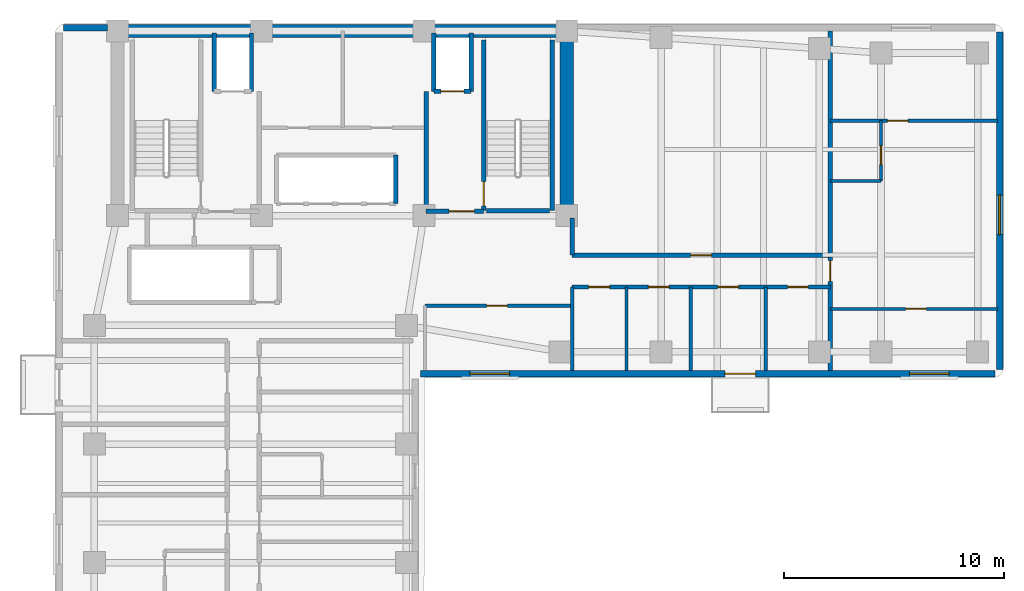
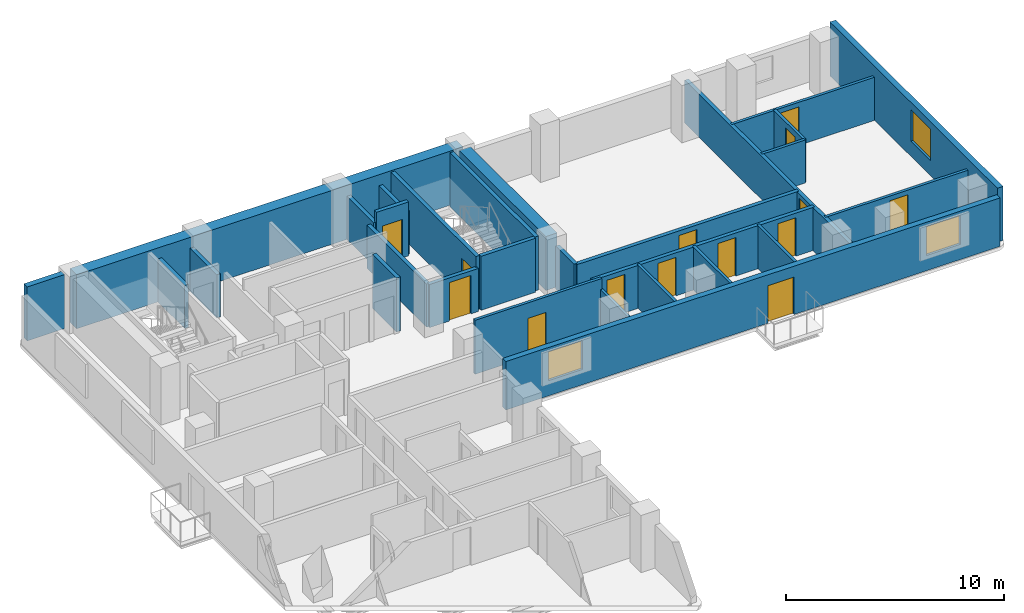
# One storey, part 4 of 7: 29 walls, 14 doors, 3 windows, 17 openings.
"""IFC4 building model written with IfcOpenShell, lengths in metres."""

from ifc_helpers import new_model, si_unit, direction, frame, frame_2d, origin, place, context, subcontext, project, spatial, rectangle, extrude, material, layer, layer_set, type_object, element, fill, save


model = new_model("IFC4")

# Units and contexts
model_context = context("Model", 3, precision=1e-05, world=origin(), true_north=direction((0.0, 1.0)))
body_context = subcontext(model_context, "Body", "Model", "MODEL_VIEW")
ifc_project = project(units=[si_unit("LENGTHUNIT", "METRE"), si_unit("AREAUNIT", "SQUARE_METRE"), si_unit("VOLUMEUNIT", "CUBIC_METRE"), si_unit("PLANEANGLEUNIT", "RADIAN"), si_unit("MASSUNIT", "GRAM", prefix="KILO")], contexts=[model_context])

# Site, building, storey
site_placement = place(None, origin())
site = spatial("IfcSite", under=ifc_project, at=site_placement, CompositionType="ELEMENT")
building_placement = place(site_placement, origin())
building = spatial("IfcBuilding", under=site, at=building_placement, Name="Kuzgunbayir Cultural Tower", CompositionType="ELEMENT")
storey_placement = place(building_placement, frame((0.0, 0.0, 120.199951171875)))
storey = spatial("IfcBuildingStorey", under=building, at=storey_placement, Name="L34", CompositionType="ELEMENT", Elevation=120.199951171875)

# Walls
ifc_material_1 = material(Name="Concrete C60/75", Category="concrete")
ifc_layer_1 = layer(ifc_material_1, 0.60009765625)
ifc_layer_set_1 = layer_set([ifc_layer_1], Name="Concrete C60/75")
wall_type_1 = type_object("IfcWallType", Name="WAL-CORE-600", PredefinedType="SHEAR", material=ifc_layer_set_1)
wall_1_placement = place(storey_placement, frame((6.449951171875, 42.199951171875, 0.0), z_axis=(0.0, 0.0, 1.0), x_axis=(1.0, 0.0, 0.0)))
element("IfcWall", 1, at=wall_1_placement, inside=storey, type_object=wall_type_1, Name="L34 T1 Core North Shear Wall", PredefinedType="SHEAR", context=body_context, shape_type="SweptSolid", body=[
    extrude(rectangle(XDim=20.449951171875, YDim=0.60009765625, at=frame_2d((10.22509765625, 0.0))), origin(), (0.0, 0.0, 1.0), 3.02001953125),
])
wall_2_placement = place(storey_placement, frame((26.89990234375, 33.800048828125, 0.0), z_axis=(0.0, 0.0, 1.0), x_axis=(0.0, 1.0, 0.0)))
element("IfcWall", 2, at=wall_2_placement, inside=storey, type_object=wall_type_1, Name="L34 T1 Core East Shear Wall", PredefinedType="SHEAR", context=body_context, shape_type="SweptSolid", body=[
    extrude(rectangle(XDim=7.949951171875, YDim=0.60009765625, at=frame_2d((3.97509765625, 0.0))), origin(), (0.0, 0.0, 1.0), 3.02001953125),
])
ifc_material_2 = material(Name="Anatolian Cream Limestone", Category="masonry")
ifc_layer_2 = layer(ifc_material_2, 0.300048828125)
ifc_layer_set_2 = layer_set([ifc_layer_2], Name="Anatolian Cream Limestone")
wall_type_2 = type_object("IfcWallType", Name="WAL-EXT-STONE-300", PredefinedType="STANDARD", material=ifc_layer_set_2)
wall_3_placement = place(storey_placement, frame((6.0, 42.35009765625, 0.0), z_axis=(0.0, 0.0, 1.0), x_axis=(-1.0, 0.0, 0.0)))
element("IfcWall", 3, at=wall_3_placement, inside=storey, type_object=wall_type_2, Name="L34 Core North-West Spandrel Link", PredefinedType="STANDARD", context=body_context, shape_type="SweptSolid", body=[
    extrude(rectangle(XDim=2.0, YDim=0.300048828125, at=frame_2d((1.0, 0.0))), origin(), (0.0, 0.0, 1.0), 3.02001953125),
])

# Wall, openings, door, windows
wall_4_placement = place(storey_placement, frame((20.25, 26.60009765625, 0.0), z_axis=(0.0, 0.0, 1.0), x_axis=(1.0, 0.0, 0.0)))
wall_4 = element("IfcWall", 4, at=wall_4_placement, inside=storey, type_object=wall_type_2, Name="L34 Wing B South Limestone Wall", PredefinedType="STANDARD", context=body_context, shape_type="SweptSolid", body=[
    extrude(rectangle(XDim=26.14990234375, YDim=0.300048828125, at=frame_2d((13.074951171875, 0.0))), origin(), (0.0, 0.0, 1.0), 2.7099609375),
])
opening_1_placement = place(wall_4_placement, frame((13.85009765625, 0.0, 0.0)))
opening_1 = element("IfcOpeningElement", 5, at=opening_1_placement, cuts=wall_4, Name="Opening BD-15", PredefinedType="OPENING", context=body_context, shape_type="SweptSolid", body=[
    extrude(rectangle(XDim=1.39990234375, YDim=2.10009765625, at=frame_2d((0.699951171875, 1.050048828125))), frame((0.0, 0.16015625, 0.0), z_axis=(0.0, -1.0, 0.0), x_axis=(1.0, 0.0, 0.0)), (0.0, 0.0, 1.0), 0.320068359375),
])
opening_2_placement = place(wall_4_placement, frame((2.25, 0.0, 0.85009765625)))
opening_2 = element("IfcOpeningElement", 6, at=opening_2_placement, cuts=wall_4, Name="Opening WH-18", PredefinedType="OPENING", context=body_context, shape_type="SweptSolid", body=[
    extrude(rectangle(XDim=1.800048828125, YDim=1.610107421875, at=frame_2d((0.89990234375, 0.80517578125))), frame((0.0, 0.16015625, 0.0), z_axis=(0.0, -1.0, 0.0), x_axis=(1.0, 0.0, 0.0)), (0.0, 0.0, 1.0), 0.320068359375),
])
opening_3_placement = place(wall_4_placement, frame((22.25, 0.0, 0.85009765625)))
opening_3 = element("IfcOpeningElement", 7, at=opening_3_placement, cuts=wall_4, Name="Opening WH-18", PredefinedType="OPENING", context=body_context, shape_type="SweptSolid", body=[
    extrude(rectangle(XDim=1.800048828125, YDim=1.610107421875, at=frame_2d((0.89990234375, 0.80517578125))), frame((0.0, 0.16015625, 0.0), z_axis=(0.0, -1.0, 0.0), x_axis=(1.0, 0.0, 0.0)), (0.0, 0.0, 1.0), 0.320068359375),
])
ifc_material_3 = material(Name="Thermally Broken Glazed Aluminium", Category="aluminium")
door_type_1 = type_object("IfcDoorType", Name="DR-BALCONY-150", OperationType="SLIDING_TO_RIGHT", PredefinedType="DOOR", material=ifc_material_3)
door_1_placement = place(opening_1_placement, origin())
door_1 = element("IfcDoor", 8, at=door_1_placement, inside=storey, type_object=door_type_1, Name="L34 South Balcony Sliding Door BAL-L34-WB2", OperationType="SLIDING_TO_RIGHT", OverallHeight=2.10009765625, OverallWidth=1.39990234375, PredefinedType="DOOR", context=body_context, shape_type="SweptSolid", body=[
    extrude(rectangle(XDim=1.39990234375, YDim=2.10009765625, at=frame_2d((0.699951171875, 1.050048828125))), frame((0.0, 0.02490234375, 0.0), z_axis=(0.0, -1.0, 0.0), x_axis=(1.0, 0.0, 0.0)), (0.0, 0.0, 1.0), 0.050048828125),
])
fill(opening_1, door_1)
ifc_material_4 = material(Name="Solar-Control Triple Glazing", Category="glass")
window_type = type_object("IfcWindowType", Name="WIN-HOTEL-18", PartitioningType="SINGLE_PANEL", PredefinedType="WINDOW", material=ifc_material_4)
window_1_placement = place(opening_2_placement, origin())
window_1 = element("IfcWindow", 9, at=window_1_placement, inside=storey, type_object=window_type, Name="L34 WBS Facade Window 10", OverallHeight=1.610107421875, OverallWidth=1.800048828125, PartitioningType="SINGLE_PANEL", PredefinedType="WINDOW", context=body_context, shape_type="SweptSolid", body=[
    extrude(rectangle(XDim=1.800048828125, YDim=1.610107421875, at=frame_2d((0.89990234375, 0.80517578125))), frame((0.0, 0.030029296875, 0.0), z_axis=(0.0, -1.0, 0.0), x_axis=(1.0, 0.0, 0.0)), (0.0, 0.0, 1.0), 0.06005859375),
])
fill(opening_2, window_1)
window_2_placement = place(opening_3_placement, origin())
window_2 = element("IfcWindow", 10, at=window_2_placement, inside=storey, type_object=window_type, Name="L34 WBS Facade Window 11", OverallHeight=1.610107421875, OverallWidth=1.800048828125, PartitioningType="SINGLE_PANEL", PredefinedType="WINDOW", context=body_context, shape_type="SweptSolid", body=[
    extrude(rectangle(XDim=1.800048828125, YDim=1.610107421875, at=frame_2d((0.89990234375, 0.80517578125))), frame((0.0, 0.030029296875, 0.0), z_axis=(0.0, -1.0, 0.0), x_axis=(1.0, 0.0, 0.0)), (0.0, 0.0, 1.0), 0.06005859375),
])
fill(opening_3, window_2)

# Wall, opening, window
wall_5_placement = place(storey_placement, frame((46.60009765625, 26.800048828125, 0.0), z_axis=(0.0, 0.0, 1.0), x_axis=(0.0, 1.0, 0.0)))
wall_5 = element("IfcWall", 11, at=wall_5_placement, inside=storey, type_object=wall_type_2, Name="L34 Wing B East Limestone Wall", PredefinedType="STANDARD", context=body_context, shape_type="SweptSolid", body=[
    extrude(rectangle(XDim=15.349853515625, YDim=0.300048828125, at=frame_2d((7.6748046875, 0.0))), origin(), (0.0, 0.0, 1.0), 3.02001953125),
])
opening_4_placement = place(wall_5_placement, frame((6.1298828125, 0.0, 0.85009765625)))
opening_4 = element("IfcOpeningElement", 12, at=opening_4_placement, cuts=wall_5, Name="Opening WH-18", PredefinedType="OPENING", context=body_context, shape_type="SweptSolid", body=[
    extrude(rectangle(XDim=1.800048828125, YDim=1.75, at=frame_2d((0.89990234375, 0.875))), frame((0.0, 0.16015625, 0.0), z_axis=(0.0, -1.0, 0.0), x_axis=(1.0, 0.0, 0.0)), (0.0, 0.0, 1.0), 0.320068359375),
])
window_3_placement = place(opening_4_placement, origin())
window_3 = element("IfcWindow", 13, at=window_3_placement, inside=storey, type_object=window_type, Name="L34 WBE Facade Window 4", OverallHeight=1.75, OverallWidth=1.800048828125, PartitioningType="SINGLE_PANEL", PredefinedType="WINDOW", context=body_context, shape_type="SweptSolid", body=[
    extrude(rectangle(XDim=1.800048828125, YDim=1.75, at=frame_2d((0.89990234375, 0.875))), frame((0.0, 0.030029296875, 0.0), z_axis=(0.0, -1.0, 0.0), x_axis=(1.0, 0.0, 0.0)), (0.0, 0.0, 1.0), 0.06005859375),
])
fill(opening_4, window_3)

# Wall, opening, door
ifc_material_5 = material(Name="Acoustic Double-Stud Drywall", Category="gypsum")
ifc_layer_3 = layer(ifc_material_5, 0.14990234375)
ifc_layer_set_3 = layer_set([ifc_layer_3], Name="Acoustic Double-Stud Drywall")
wall_type_3 = type_object("IfcWallType", Name="WAL-PART-ACOUSTIC-150", PredefinedType="PARTITIONING", material=ifc_layer_set_3)
wall_6_placement = place(storey_placement, frame((20.449951171875, 29.699951171875, 0.0), z_axis=(0.0, 0.0, 1.0), x_axis=(1.0, 0.0, 0.0)))
wall_6 = element("IfcWall", 14, at=wall_6_placement, inside=storey, type_object=wall_type_3, Name="L34 Waist Alcove North Wall", PredefinedType="PARTITIONING", context=body_context, shape_type="SweptSolid", body=[
    extrude(rectangle(XDim=6.699951171875, YDim=0.14990234375, at=frame_2d((3.35009765625, 0.0))), origin(), (0.0, 0.0, 1.0), 3.02001953125),
])
opening_5_placement = place(wall_6_placement, frame((2.800048828125, 0.0, 0.0)))
opening_5 = element("IfcOpeningElement", 15, at=opening_5_placement, cuts=wall_6, Name="Opening DI-90", PredefinedType="OPENING", context=body_context, shape_type="SweptSolid", body=[
    extrude(rectangle(XDim=0.949951171875, YDim=2.14990234375, at=frame_2d((0.47509765625, 1.074951171875))), frame((0.0, 0.0849609375, 0.0), z_axis=(0.0, -1.0, 0.0), x_axis=(1.0, 0.0, 0.0)), (0.0, 0.0, 1.0), 0.169921875),
])
ifc_material_6 = material(Name="Veneered Oak Single Leaf", Category="wood")
door_type_2 = type_object("IfcDoorType", Name="DR-INT-90", OperationType="NOTDEFINED", PredefinedType="DOOR", material=ifc_material_6)
door_2_placement = place(opening_5_placement, origin())
door_2 = element("IfcDoor", 16, at=door_2_placement, inside=storey, type_object=door_type_2, Name="L34 Waist Alcove Door", OperationType="SINGLE_SWING_RIGHT", OverallHeight=2.14990234375, OverallWidth=0.949951171875, PredefinedType="DOOR", context=body_context, shape_type="SweptSolid", body=[
    extrude(rectangle(XDim=0.949951171875, YDim=2.14990234375, at=frame_2d((0.47509765625, 1.074951171875))), frame((0.0, 0.02490234375, 0.0), z_axis=(0.0, -1.0, 0.0), x_axis=(1.0, 0.0, 0.0)), (0.0, 0.0, 1.0), 0.050048828125),
])
fill(opening_5, door_2)

# Wall
wall_7_placement = place(storey_placement, frame((27.14990234375, 26.75, 0.0), z_axis=(0.0, 0.0, 1.0), x_axis=(0.0, 1.0, 0.0)))
element("IfcWall", 17, at=wall_7_placement, inside=storey, type_object=wall_type_3, Name="L34 Waist Alcove East Wall", PredefinedType="PARTITIONING", context=body_context, shape_type="SweptSolid", body=[
    extrude(rectangle(XDim=3.800048828125, YDim=0.14990234375, at=frame_2d((1.89990234375, 0.0))), origin(), (0.0, 0.0, 1.0), 2.41015625),
])

# Wall, opening, door
wall_8_placement = place(storey_placement, frame((38.89990234375, 38.1201171875, 0.0), z_axis=(0.0, 0.0, 1.0), x_axis=(1.0, 0.0, 0.0)))
wall_8 = element("IfcWall", 18, at=wall_8_placement, inside=storey, type_object=wall_type_3, Name="L34 Corner Suite Bedroom Wall", PredefinedType="PARTITIONING", context=body_context, shape_type="SweptSolid", body=[
    extrude(rectangle(XDim=7.60009765625, YDim=0.14990234375, at=frame_2d((3.800048828125, 0.0))), origin(), (0.0, 0.0, 1.0), 2.41015625),
])
opening_6_placement = place(wall_8_placement, frame((2.590087890625, 0.0, 0.0)))
opening_6 = element("IfcOpeningElement", 19, at=opening_6_placement, cuts=wall_8, Name="Opening DI-90", PredefinedType="OPENING", context=body_context, shape_type="SweptSolid", body=[
    extrude(rectangle(XDim=0.949951171875, YDim=2.14990234375, at=frame_2d((0.47509765625, 1.074951171875))), frame((0.0, 0.0849609375, 0.0), z_axis=(0.0, -1.0, 0.0), x_axis=(1.0, 0.0, 0.0)), (0.0, 0.0, 1.0), 0.169921875),
])
door_3_placement = place(opening_6_placement, origin())
door_3 = element("IfcDoor", 20, at=door_3_placement, inside=storey, type_object=door_type_2, Name="L34 Corner Bedroom Door", OperationType="SINGLE_SWING_LEFT", OverallHeight=2.14990234375, OverallWidth=0.949951171875, PredefinedType="DOOR", context=body_context, shape_type="SweptSolid", body=[
    extrude(rectangle(XDim=0.949951171875, YDim=2.14990234375, at=frame_2d((0.47509765625, 1.074951171875))), frame((0.0, 0.02490234375, 0.0), z_axis=(0.0, -1.0, 0.0), x_axis=(1.0, 0.0, 0.0)), (0.0, 0.0, 1.0), 0.050048828125),
])
fill(opening_6, door_3)

# Walls
for number, where, z_axis, x_axis, name in (
    (21, (29.6201171875, 26.75, 0.0), (0.0, 0.0, 1.0), (0.0, 1.0, 0.0), "L34 Wing B South Divider 1"),
    (22, (32.550048828125, 26.75, 0.0), (0.0, 0.0, 1.0), (0.0, 1.0, 0.0), "L34 Wing B South Divider 2"),
    (23, (35.9599609375, 26.75, 0.0), (0.0, 0.0, 1.0), (0.0, 1.0, 0.0), "L34 Wing B South Divider 3"),
):
    element("IfcWall", number, at=place(storey_placement, frame(where, z_axis=z_axis, x_axis=x_axis)), inside=storey, type_object=wall_type_3, Name=name, PredefinedType="PARTITIONING", context=body_context, shape_type="SweptSolid", body=[
        extrude(rectangle(XDim=3.800048828125, YDim=0.14990234375, at=frame_2d((1.89990234375, 0.0))), origin(), (0.0, 0.0, 1.0), 2.41015625),
    ])
ifc_material_7 = material(Name="Aerated Concrete Blockwork", Category="masonry")
ifc_layer_4 = layer(ifc_material_7, 0.199951171875)
ifc_layer_set_4 = layer_set([ifc_layer_4], Name="Aerated Concrete Blockwork")
wall_type_4 = type_object("IfcWallType", Name="WAL-PART-FIRE-200", PredefinedType="PARTITIONING", material=ifc_layer_set_4)
wall_9_placement = place(storey_placement, frame((20.5, 34.0, 0.0), z_axis=(0.0, 0.0, 1.0), x_axis=(0.0, 1.0, 0.0)))
element("IfcWall", 24, at=wall_9_placement, inside=storey, type_object=wall_type_4, Name="L34 FFL-2 Lobby West Fire Wall", PredefinedType="PARTITIONING", context=body_context, shape_type="SweptSolid", body=[
    extrude(rectangle(XDim=5.449951171875, YDim=0.199951171875, at=frame_2d((2.72509765625, 0.0))), origin(), (0.0, 0.0, 1.0), 2.41015625),
])

# Wall, opening, door
wall_10_placement = place(storey_placement, frame((20.5, 34.0, 0.0), z_axis=(0.0, 0.0, 1.0), x_axis=(1.0, 0.0, 0.0)))
wall_10 = element("IfcWall", 25, at=wall_10_placement, inside=storey, type_object=wall_type_4, Name="L34 FFL-2 Lobby South Fire Wall", PredefinedType="PARTITIONING", context=body_context, shape_type="SweptSolid", body=[
    extrude(rectangle(XDim=2.60009765625, YDim=0.199951171875, at=frame_2d((1.300048828125, 0.0))), origin(), (0.0, 0.0, 1.0), 2.41015625),
])
opening_7_placement = place(wall_10_placement, frame((1.050048828125, 0.0, 0.0)))
opening_7 = element("IfcOpeningElement", 26, at=opening_7_placement, cuts=wall_10, Name="Opening DR-FFL-90", PredefinedType="OPENING", context=body_context, shape_type="SweptSolid", body=[
    extrude(rectangle(XDim=1.14990234375, YDim=2.14990234375, at=frame_2d((0.574951171875, 1.074951171875))), frame((0.0, 0.10986328125, 0.0), z_axis=(0.0, -1.0, 0.0), x_axis=(1.0, 0.0, 0.0)), (0.0, 0.0, 1.0), 0.219970703125),
])
ifc_material_8 = material(Name="Steel S355J2", Category="steel")
door_type_3 = type_object("IfcDoorType", Name="DR-FFL-90", OperationType="NOTDEFINED", PredefinedType="DOOR", material=ifc_material_8)
door_4_placement = place(opening_7_placement, origin())
door_4 = element("IfcDoor", 27, at=door_4_placement, inside=storey, type_object=door_type_3, Name="L34 Firefighting Lobby 2 Door", OperationType="SINGLE_SWING_RIGHT", OverallHeight=2.14990234375, OverallWidth=1.14990234375, PredefinedType="DOOR", context=body_context, shape_type="SweptSolid", body=[
    extrude(rectangle(XDim=1.14990234375, YDim=2.14990234375, at=frame_2d((0.574951171875, 1.074951171875))), frame((0.0, 0.02490234375, 0.0), z_axis=(0.0, -1.0, 0.0), x_axis=(1.0, 0.0, 0.0)), (0.0, 0.0, 1.0), 0.050048828125),
])
fill(opening_7, door_4)

# Wall, openings, doors
wall_11_placement = place(storey_placement, frame((27.14990234375, 30.550048828125, 0.0), z_axis=(0.0, 0.0, 1.0), x_axis=(1.0, 0.0, 0.0)))
wall_11 = element("IfcWall", 28, at=wall_11_placement, inside=storey, type_object=wall_type_4, Name="L34 Wing B Hotel Corridor South Wall", PredefinedType="PARTITIONING", context=body_context, shape_type="SweptSolid", body=[
    extrude(rectangle(XDim=11.75, YDim=0.199951171875, at=frame_2d((5.875, 0.0))), origin(), (0.0, 0.0, 1.0), 2.41015625),
])
opening_8_placement = place(wall_11_placement, frame((0.75, 0.0, 0.0)))
opening_8 = element("IfcOpeningElement", 29, at=opening_8_placement, cuts=wall_11, Name="Opening DI-90", PredefinedType="OPENING", context=body_context, shape_type="SweptSolid", body=[
    extrude(rectangle(XDim=0.949951171875, YDim=2.14990234375, at=frame_2d((0.47509765625, 1.074951171875))), frame((0.0, 0.10986328125, 0.0), z_axis=(0.0, -1.0, 0.0), x_axis=(1.0, 0.0, 0.0)), (0.0, 0.0, 1.0), 0.219970703125),
])
opening_9_placement = place(wall_11_placement, frame((3.4599609375, 0.0, 0.0)))
opening_9 = element("IfcOpeningElement", 30, at=opening_9_placement, cuts=wall_11, Name="Opening DI-90", PredefinedType="OPENING", context=body_context, shape_type="SweptSolid", body=[
    extrude(rectangle(XDim=0.949951171875, YDim=2.14990234375, at=frame_2d((0.47509765625, 1.074951171875))), frame((0.0, 0.10986328125, 0.0), z_axis=(0.0, -1.0, 0.0), x_axis=(1.0, 0.0, 0.0)), (0.0, 0.0, 1.0), 0.219970703125),
])
opening_10_placement = place(wall_11_placement, frame((6.6201171875, 0.0, 0.0)))
opening_10 = element("IfcOpeningElement", 31, at=opening_10_placement, cuts=wall_11, Name="Opening DI-90", PredefinedType="OPENING", context=body_context, shape_type="SweptSolid", body=[
    extrude(rectangle(XDim=0.949951171875, YDim=2.14990234375, at=frame_2d((0.47509765625, 1.074951171875))), frame((0.0, 0.10986328125, 0.0), z_axis=(0.0, -1.0, 0.0), x_axis=(1.0, 0.0, 0.0)), (0.0, 0.0, 1.0), 0.219970703125),
])
opening_11_placement = place(wall_11_placement, frame((9.800048828125, 0.0, 0.0)))
opening_11 = element("IfcOpeningElement", 32, at=opening_11_placement, cuts=wall_11, Name="Opening DI-90", PredefinedType="OPENING", context=body_context, shape_type="SweptSolid", body=[
    extrude(rectangle(XDim=0.949951171875, YDim=2.14990234375, at=frame_2d((0.47509765625, 1.074951171875))), frame((0.0, 0.10986328125, 0.0), z_axis=(0.0, -1.0, 0.0), x_axis=(1.0, 0.0, 0.0)), (0.0, 0.0, 1.0), 0.219970703125),
])
door_5_placement = place(opening_8_placement, origin())
door_5 = element("IfcDoor", 33, at=door_5_placement, inside=storey, type_object=door_type_2, Name="L34 Culinary Tasting Pantry B1 Door", OperationType="SINGLE_SWING_RIGHT", OverallHeight=2.14990234375, OverallWidth=0.949951171875, PredefinedType="DOOR", context=body_context, shape_type="SweptSolid", body=[
    extrude(rectangle(XDim=0.949951171875, YDim=2.14990234375, at=frame_2d((0.47509765625, 1.074951171875))), frame((0.0, 0.02490234375, 0.0), z_axis=(0.0, -1.0, 0.0), x_axis=(1.0, 0.0, 0.0)), (0.0, 0.0, 1.0), 0.050048828125),
])
fill(opening_8, door_5)
door_6_placement = place(opening_9_placement, origin())
door_6 = element("IfcDoor", 34, at=door_6_placement, inside=storey, type_object=door_type_2, Name="L34 Culinary Tasting Pantry B2 Door", OperationType="SINGLE_SWING_LEFT", OverallHeight=2.14990234375, OverallWidth=0.949951171875, PredefinedType="DOOR", context=body_context, shape_type="SweptSolid", body=[
    extrude(rectangle(XDim=0.949951171875, YDim=2.14990234375, at=frame_2d((0.47509765625, 1.074951171875))), frame((0.0, 0.02490234375, 0.0), z_axis=(0.0, -1.0, 0.0), x_axis=(1.0, 0.0, 0.0)), (0.0, 0.0, 1.0), 0.050048828125),
])
fill(opening_9, door_6)
door_7_placement = place(opening_10_placement, origin())
door_7 = element("IfcDoor", 35, at=door_7_placement, inside=storey, type_object=door_type_2, Name="L34 Culinary Tasting Pantry B3 Door", OperationType="SINGLE_SWING_RIGHT", OverallHeight=2.14990234375, OverallWidth=0.949951171875, PredefinedType="DOOR", context=body_context, shape_type="SweptSolid", body=[
    extrude(rectangle(XDim=0.949951171875, YDim=2.14990234375, at=frame_2d((0.47509765625, 1.074951171875))), frame((0.0, 0.02490234375, 0.0), z_axis=(0.0, -1.0, 0.0), x_axis=(1.0, 0.0, 0.0)), (0.0, 0.0, 1.0), 0.050048828125),
])
fill(opening_10, door_7)
door_8_placement = place(opening_11_placement, origin())
door_8 = element("IfcDoor", 36, at=door_8_placement, inside=storey, type_object=door_type_2, Name="L34 Culinary Tasting Pantry B4 Door", OperationType="SINGLE_SWING_LEFT", OverallHeight=2.14990234375, OverallWidth=0.949951171875, PredefinedType="DOOR", context=body_context, shape_type="SweptSolid", body=[
    extrude(rectangle(XDim=0.949951171875, YDim=2.14990234375, at=frame_2d((0.47509765625, 1.074951171875))), frame((0.0, 0.02490234375, 0.0), z_axis=(0.0, -1.0, 0.0), x_axis=(1.0, 0.0, 0.0)), (0.0, 0.0, 1.0), 0.050048828125),
])
fill(opening_11, door_8)

# Wall, opening, door
wall_12_placement = place(storey_placement, frame((27.14990234375, 32.0, 0.0), z_axis=(0.0, 0.0, 1.0), x_axis=(1.0, 0.0, 0.0)))
wall_12 = element("IfcWall", 37, at=wall_12_placement, inside=storey, type_object=wall_type_4, Name="L34 Wing B Hotel Corridor North Wall", PredefinedType="PARTITIONING", context=body_context, shape_type="SweptSolid", body=[
    extrude(rectangle(XDim=11.75, YDim=0.199951171875, at=frame_2d((5.875, 0.0))), origin(), (0.0, 0.0, 1.0), 2.41015625),
])
opening_12_placement = place(wall_12_placement, frame((5.389892578125, 0.0, 0.0)))
opening_12 = element("IfcOpeningElement", 38, at=opening_12_placement, cuts=wall_12, Name="Opening DI-90", PredefinedType="OPENING", context=body_context, shape_type="SweptSolid", body=[
    extrude(rectangle(XDim=0.949951171875, YDim=2.14990234375, at=frame_2d((0.47509765625, 1.074951171875))), frame((0.0, 0.10986328125, 0.0), z_axis=(0.0, -1.0, 0.0), x_axis=(1.0, 0.0, 0.0)), (0.0, 0.0, 1.0), 0.219970703125),
])
door_9_placement = place(opening_12_placement, origin())
door_9 = element("IfcDoor", 39, at=door_9_placement, inside=storey, type_object=door_type_2, Name="L34 North Culinary Tasting Pantry 1 Door", OperationType="SINGLE_SWING_RIGHT", OverallHeight=2.14990234375, OverallWidth=0.949951171875, PredefinedType="DOOR", context=body_context, shape_type="SweptSolid", body=[
    extrude(rectangle(XDim=0.949951171875, YDim=2.14990234375, at=frame_2d((0.47509765625, 1.074951171875))), frame((0.0, 0.02490234375, 0.0), z_axis=(0.0, -1.0, 0.0), x_axis=(1.0, 0.0, 0.0)), (0.0, 0.0, 1.0), 0.050048828125),
])
fill(opening_12, door_9)

# Wall
wall_13_placement = place(storey_placement, frame((27.14990234375, 32.0, 0.0), z_axis=(0.0, 0.0, 1.0), x_axis=(0.0, 1.0, 0.0)))
element("IfcWall", 40, at=wall_13_placement, inside=storey, type_object=wall_type_4, Name="L34 Wing B North Core Closure Wall", PredefinedType="PARTITIONING", context=body_context, shape_type="SweptSolid", body=[
    extrude(rectangle(XDim=1.679931640625, YDim=0.199951171875, at=frame_2d((0.83984375, 0.0))), origin(), (0.0, 0.0, 1.0), 2.41015625),
])

# Wall, opening, door
wall_14_placement = place(storey_placement, frame((38.89990234375, 26.75, 0.0), z_axis=(0.0, 0.0, 1.0), x_axis=(0.0, 1.0, 0.0)))
wall_14 = element("IfcWall", 41, at=wall_14_placement, inside=storey, type_object=wall_type_4, Name="L34 Wing B East Suite Wall", PredefinedType="PARTITIONING", context=body_context, shape_type="SweptSolid", body=[
    extrude(rectangle(XDim=15.449951171875, YDim=0.199951171875, at=frame_2d((7.72509765625, 0.0))), origin(), (0.0, 0.0, 1.0), 2.41015625),
])
opening_13_placement = place(wall_14_placement, frame((4.050048828125, 0.0, 0.0)))
opening_13 = element("IfcOpeningElement", 42, at=opening_13_placement, cuts=wall_14, Name="Opening DR-APT-60", PredefinedType="OPENING", context=body_context, shape_type="SweptSolid", body=[
    extrude(rectangle(XDim=0.949951171875, YDim=2.14990234375, at=frame_2d((0.47509765625, 1.074951171875))), frame((0.0, 0.10986328125, 0.0), z_axis=(0.0, -1.0, 0.0), x_axis=(1.0, 0.0, 0.0)), (0.0, 0.0, 1.0), 0.219970703125),
])
ifc_material_9 = material(Name="Acoustic Fire Timber Leaf", Category="wood")
door_type_4 = type_object("IfcDoorType", Name="DR-APT-60", OperationType="NOTDEFINED", PredefinedType="DOOR", material=ifc_material_9)
door_10_placement = place(opening_13_placement, origin())
door_10 = element("IfcDoor", 43, at=door_10_placement, inside=storey, type_object=door_type_4, Name="L34 Corner Suite Entrance", OperationType="SINGLE_SWING_RIGHT", OverallHeight=2.14990234375, OverallWidth=0.949951171875, PredefinedType="DOOR", context=body_context, shape_type="SweptSolid", body=[
    extrude(rectangle(XDim=0.949951171875, YDim=2.14990234375, at=frame_2d((0.47509765625, 1.074951171875))), frame((0.0, 0.02490234375, 0.0), z_axis=(0.0, -1.0, 0.0), x_axis=(1.0, 0.0, 0.0)), (0.0, 0.0, 1.0), 0.050048828125),
])
fill(opening_13, door_10)

ifc_material_10 = material(Name="Moisture-Resistant Tile Partition", Category="gypsum")
ifc_layer_5 = layer(ifc_material_10, 0.14990234375)
ifc_layer_set_5 = layer_set([ifc_layer_5], Name="Moisture-Resistant Tile Partition")
wall_type_5 = type_object("IfcWallType", Name="WAL-PART-WET-150", PredefinedType="PARTITIONING", material=ifc_layer_set_5)
wall_15_placement = place(storey_placement, frame((38.89990234375, 29.550048828125, 0.0), z_axis=(0.0, 0.0, 1.0), x_axis=(1.0, 0.0, 0.0)))
wall_15 = element("IfcWall", 44, at=wall_15_placement, inside=storey, type_object=wall_type_5, Name="L34 Corner Suite Kitchen Wall", PredefinedType="PARTITIONING", context=body_context, shape_type="SweptSolid", body=[
    extrude(rectangle(XDim=7.60009765625, YDim=0.14990234375, at=frame_2d((3.800048828125, 0.0))), origin(), (0.0, 0.0, 1.0), 2.41015625),
])
opening_14_placement = place(wall_15_placement, frame((3.419921875, 0.0, 0.0)))
opening_14 = element("IfcOpeningElement", 45, at=opening_14_placement, cuts=wall_15, Name="Opening DI-90", PredefinedType="OPENING", context=body_context, shape_type="SweptSolid", body=[
    extrude(rectangle(XDim=0.949951171875, YDim=2.14990234375, at=frame_2d((0.47509765625, 1.074951171875))), frame((0.0, 0.0849609375, 0.0), z_axis=(0.0, -1.0, 0.0), x_axis=(1.0, 0.0, 0.0)), (0.0, 0.0, 1.0), 0.169921875),
])
door_11_placement = place(opening_14_placement, origin())
door_11 = element("IfcDoor", 46, at=door_11_placement, inside=storey, type_object=door_type_2, Name="L34 Corner Suite Kitchen Door", OperationType="SINGLE_SWING_LEFT", OverallHeight=2.14990234375, OverallWidth=0.949951171875, PredefinedType="DOOR", context=body_context, shape_type="SweptSolid", body=[
    extrude(rectangle(XDim=0.949951171875, YDim=2.14990234375, at=frame_2d((0.47509765625, 1.074951171875))), frame((0.0, 0.02490234375, 0.0), z_axis=(0.0, -1.0, 0.0), x_axis=(1.0, 0.0, 0.0)), (0.0, 0.0, 1.0), 0.050048828125),
])
fill(opening_14, door_11)

# Wall
wall_16_placement = place(storey_placement, frame((38.89990234375, 35.3701171875, 0.0), z_axis=(0.0, 0.0, 1.0), x_axis=(1.0, 0.0, 0.0)))
element("IfcWall", 47, at=wall_16_placement, inside=storey, type_object=wall_type_5, Name="L34 Corner Suite Bath South Wall", PredefinedType="PARTITIONING", context=body_context, shape_type="SweptSolid", body=[
    extrude(rectangle(XDim=2.300048828125, YDim=0.14990234375, at=frame_2d((1.14990234375, 0.0))), origin(), (0.0, 0.0, 1.0), 2.41015625),
])

# Wall, opening, door
wall_17_placement = place(storey_placement, frame((41.199951171875, 35.3701171875, 0.0), z_axis=(0.0, 0.0, 1.0), x_axis=(0.0, 1.0, 0.0)))
wall_17 = element("IfcWall", 48, at=wall_17_placement, inside=storey, type_object=wall_type_5, Name="L34 Corner Suite Bath East Wall", PredefinedType="PARTITIONING", context=body_context, shape_type="SweptSolid", body=[
    extrude(rectangle(XDim=2.75, YDim=0.14990234375, at=frame_2d((1.375, 0.0))), origin(), (0.0, 0.0, 1.0), 2.41015625),
])
opening_15_placement = place(wall_17_placement, frame((0.75, 0.0, 0.0)))
opening_15 = element("IfcOpeningElement", 49, at=opening_15_placement, cuts=wall_17, Name="Opening DW-85", PredefinedType="OPENING", context=body_context, shape_type="SweptSolid", body=[
    extrude(rectangle(XDim=0.85009765625, YDim=2.10009765625, at=frame_2d((0.425048828125, 1.050048828125))), frame((0.0, 0.0849609375, 0.0), z_axis=(0.0, -1.0, 0.0), x_axis=(1.0, 0.0, 0.0)), (0.0, 0.0, 1.0), 0.169921875),
])
ifc_material_11 = material(Name="Laminate Moisture-Resistant Leaf", Category="wood")
door_type_5 = type_object("IfcDoorType", Name="DR-WET-85", OperationType="NOTDEFINED", PredefinedType="DOOR", material=ifc_material_11)
door_12_placement = place(opening_15_placement, origin())
door_12 = element("IfcDoor", 50, at=door_12_placement, inside=storey, type_object=door_type_5, Name="L34 Corner Suite Bathroom Door", OperationType="SINGLE_SWING_RIGHT", OverallHeight=2.10009765625, OverallWidth=0.85009765625, PredefinedType="DOOR", context=body_context, shape_type="SweptSolid", body=[
    extrude(rectangle(XDim=0.85009765625, YDim=2.10009765625, at=frame_2d((0.425048828125, 1.050048828125))), frame((0.0, 0.02490234375, 0.0), z_axis=(0.0, -1.0, 0.0), x_axis=(1.0, 0.0, 0.0)), (0.0, 0.0, 1.0), 0.050048828125),
])
fill(opening_15, door_12)

ifc_material_12 = material(Name="Concrete C40/50", Category="concrete")
ifc_layer_6 = layer(ifc_material_12, 0.199951171875)
ifc_layer_set_6 = layer_set([ifc_layer_6], Name="Concrete C40/50")
wall_type_6 = type_object("IfcWallType", Name="WAL-SHAFT-200", PredefinedType="MOVABLE", material=ifc_layer_set_6)
wall_18_placement = place(storey_placement, frame((20.85009765625, 39.449951171875, 0.0), z_axis=(0.0, 0.0, 1.0), x_axis=(1.0, 0.0, 0.0)))
wall_18 = element("IfcWall", 51, at=wall_18_placement, inside=storey, type_object=wall_type_6, Name="L34 FFL-2 Lift Front Wall", PredefinedType="MOVABLE", context=body_context, shape_type="SweptSolid", body=[
    extrude(rectangle(XDim=1.699951171875, YDim=0.199951171875, at=frame_2d((0.85009765625, 0.0))), origin(), (0.0, 0.0, 1.0), 3.02001953125),
])
opening_16_placement = place(wall_18_placement, frame((0.320068359375, 0.0, 0.0)))
opening_16 = element("IfcOpeningElement", 52, at=opening_16_placement, cuts=wall_18, Name="Opening LD", PredefinedType="OPENING", context=body_context, shape_type="SweptSolid", body=[
    extrude(rectangle(XDim=1.050048828125, YDim=2.14990234375, at=frame_2d((0.52490234375, 1.074951171875))), frame((0.0, 0.10986328125, 0.0), z_axis=(0.0, -1.0, 0.0), x_axis=(1.0, 0.0, 0.0)), (0.0, 0.0, 1.0), 0.219970703125),
])
ifc_material_13 = material(Name="Brushed Stainless Steel", Category="steel")
door_type_6 = type_object("IfcDoorType", Name="DR-LIFT-LANDING", OperationType="SLIDING_TO_LEFT", PredefinedType="DOOR", material=ifc_material_13)
door_13_placement = place(opening_16_placement, origin())
door_13 = element("IfcDoor", 53, at=door_13_placement, inside=storey, type_object=door_type_6, Name="L34 Lift FFL-2 Landing Door", OperationType="SLIDING_TO_LEFT", OverallHeight=2.14990234375, OverallWidth=1.050048828125, PredefinedType="DOOR", context=body_context, shape_type="SweptSolid", body=[
    extrude(rectangle(XDim=1.050048828125, YDim=2.14990234375, at=frame_2d((0.52490234375, 1.074951171875))), frame((0.0, 0.02490234375, 0.0), z_axis=(0.0, -1.0, 0.0), x_axis=(1.0, 0.0, 0.0)), (0.0, 0.0, 1.0), 0.050048828125),
])
fill(opening_16, door_13)

# Walls
for number, where, z_axis, x_axis, name in (
    (54, (10.85009765625, 39.449951171875, 0.0), (0.0, 0.0, 1.0), (0.0, 1.0, 0.0), "L34 FFL-1 Shaft West Wall"),
    (55, (12.550048828125, 39.449951171875, 0.0), (0.0, 0.0, 1.0), (0.0, 1.0, 0.0), "L34 FFL-1 Shaft East Wall"),
    (56, (20.85009765625, 39.449951171875, 0.0), (0.0, 0.0, 1.0), (0.0, 1.0, 0.0), "L34 FFL-2 Shaft West Wall"),
    (57, (22.550048828125, 39.449951171875, 0.0), (0.0, 0.0, 1.0), (0.0, 1.0, 0.0), "L34 FFL-2 Shaft East Wall"),
):
    element("IfcWall", number, at=place(storey_placement, frame(where, z_axis=z_axis, x_axis=x_axis)), inside=storey, type_object=wall_type_6, Name=name, PredefinedType="MOVABLE", context=body_context, shape_type="SweptSolid", body=[
        extrude(rectangle(XDim=2.650146484375, YDim=0.199951171875, at=frame_2d((1.3251953125, 0.0))), origin(), (0.0, 0.0, 1.0), 2.41015625),
    ])
wall_19_placement = place(storey_placement, frame((19.1201171875, 34.35009765625, 0.0), z_axis=(0.0, 0.0, 1.0), x_axis=(0.0, 1.0, 0.0)))
element("IfcWall", 58, at=wall_19_placement, inside=storey, type_object=wall_type_6, Name="L34 Mid-Rise Lift Shaft East Wall", PredefinedType="MOVABLE", context=body_context, shape_type="SweptSolid", body=[
    extrude(rectangle(XDim=2.199951171875, YDim=0.199951171875, at=frame_2d((1.10009765625, 0.0))), origin(), (0.0, 0.0, 1.0), 3.02001953125),
])

# Wall, opening, door
ifc_layer_7 = layer(ifc_material_12, 0.199951171875)
ifc_layer_set_7 = layer_set([ifc_layer_7], Name="Concrete C40/50")
wall_type_7 = type_object("IfcWallType", Name="WAL-STAIR-RC-200", PredefinedType="SHEAR", material=ifc_layer_set_7)
wall_20_placement = place(storey_placement, frame((23.1201171875, 34.02001953125, 0.0), z_axis=(0.0, 0.0, 1.0), x_axis=(0.0, 1.0, 0.0)))
wall_20 = element("IfcWall", 59, at=wall_20_placement, inside=storey, type_object=wall_type_7, Name="L34 Stair ST-2 West Structural Wall", PredefinedType="SHEAR", context=body_context, shape_type="SweptSolid", body=[
    extrude(rectangle(XDim=7.780029296875, YDim=0.199951171875, at=frame_2d((3.89013671875, 0.0))), origin(), (0.0, 0.0, 1.0), 3.02001953125),
])
opening_17_placement = place(wall_20_placement, frame((0.219970703125, 0.0, 0.0)))
opening_17 = element("IfcOpeningElement", 60, at=opening_17_placement, cuts=wall_20, Name="Opening DR-STAIR-90", PredefinedType="OPENING", context=body_context, shape_type="SweptSolid", body=[
    extrude(rectangle(XDim=1.10009765625, YDim=2.14990234375, at=frame_2d((0.550048828125, 1.074951171875))), frame((0.0, 0.10986328125, 0.0), z_axis=(0.0, -1.0, 0.0), x_axis=(1.0, 0.0, 0.0)), (0.0, 0.0, 1.0), 0.219970703125),
])
door_type_7 = type_object("IfcDoorType", Name="DR-STAIR-90", OperationType="NOTDEFINED", PredefinedType="DOOR", material=ifc_material_8)
door_14_placement = place(opening_17_placement, origin())
door_14 = element("IfcDoor", 61, at=door_14_placement, inside=storey, type_object=door_type_7, Name="L34 Stair ST-2 Fire Door", OperationType="SINGLE_SWING_RIGHT", OverallHeight=2.14990234375, OverallWidth=1.10009765625, PredefinedType="DOOR", context=body_context, shape_type="SweptSolid", body=[
    extrude(rectangle(XDim=1.10009765625, YDim=2.14990234375, at=frame_2d((0.550048828125, 1.074951171875))), frame((0.0, 0.02490234375, 0.0), z_axis=(0.0, -1.0, 0.0), x_axis=(1.0, 0.0, 0.0)), (0.0, 0.0, 1.0), 0.050048828125),
])
fill(opening_17, door_14)

# Walls
wall_21_placement = place(storey_placement, frame((26.239990234375, 34.02001953125, 0.0), z_axis=(0.0, 0.0, 1.0), x_axis=(0.0, 1.0, 0.0)))
element("IfcWall", 62, at=wall_21_placement, inside=storey, type_object=wall_type_7, Name="L34 Stair ST-2 East Structural Wall", PredefinedType="SHEAR", context=body_context, shape_type="SweptSolid", body=[
    extrude(rectangle(XDim=7.780029296875, YDim=0.199951171875, at=frame_2d((3.89013671875, 0.0))), origin(), (0.0, 0.0, 1.0), 3.02001953125),
])
wall_22_placement = place(storey_placement, frame((23.239990234375, 34.02001953125, 0.0), z_axis=(0.0, 0.0, 1.0), x_axis=(1.0, 0.0, 0.0)))
element("IfcWall", 63, at=wall_22_placement, inside=storey, type_object=wall_type_7, Name="L34 Stair ST-2 South Structural Wall", PredefinedType="SHEAR", context=body_context, shape_type="SweptSolid", body=[
    extrude(rectangle(XDim=2.880126953125, YDim=0.199951171875, at=frame_2d((1.43994140625, 0.0))), origin(), (0.0, 0.0, 1.0), 3.02001953125),
])

save(model, "model.ifc")
